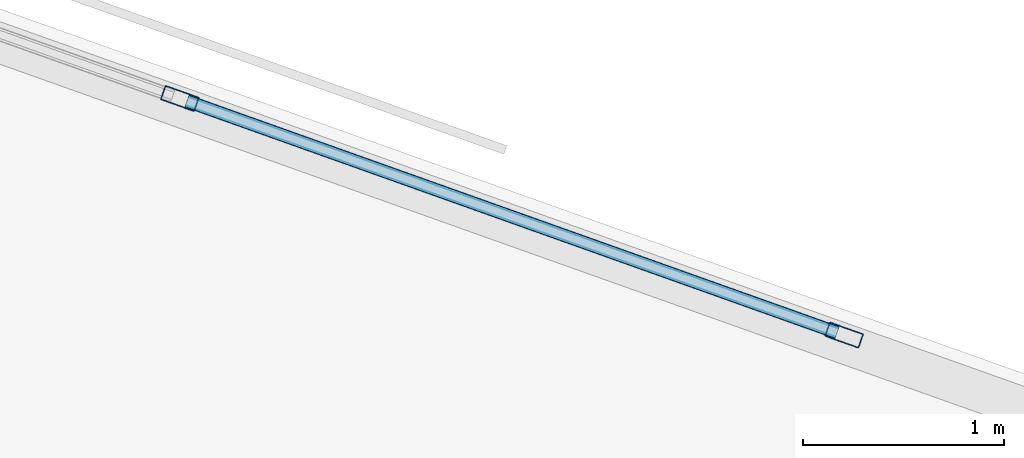
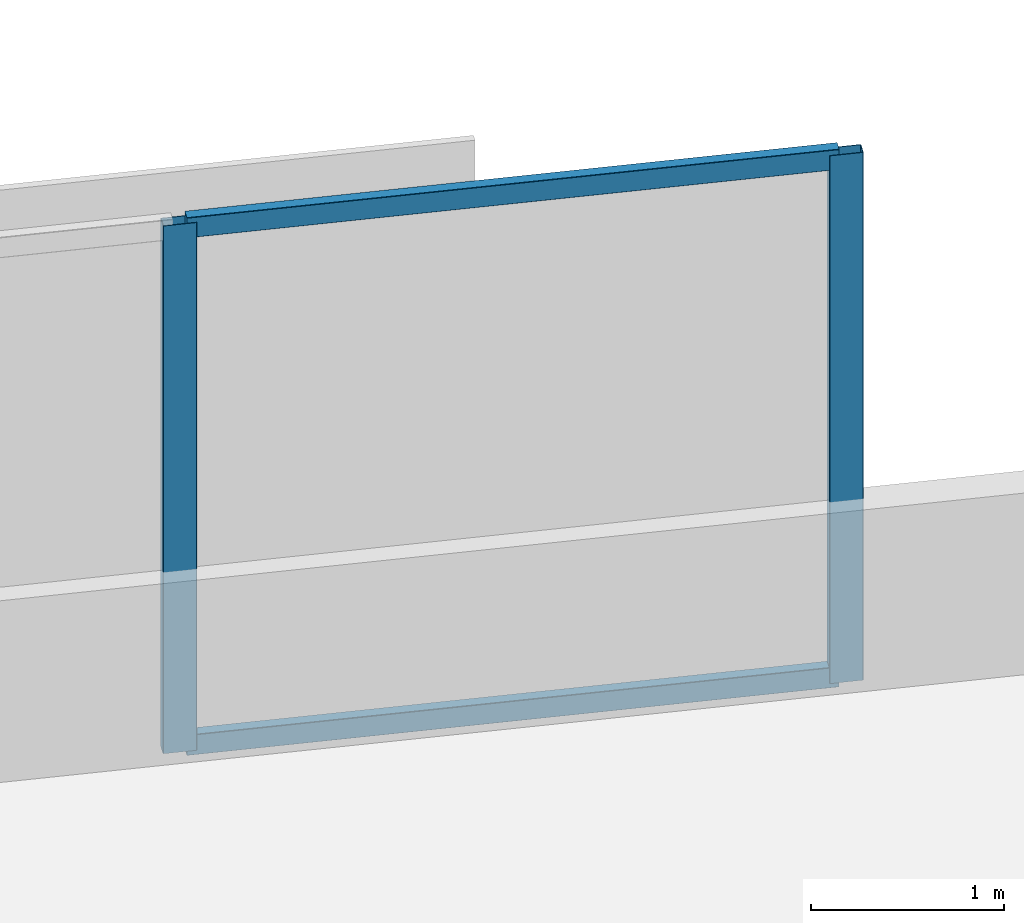
# One storey, part 2 of 17: 4 members, 1 element without a shape of its own.
"""IFC4 building model written with IfcOpenShell, lengths in metres."""

from ifc_helpers import new_model, si_unit, direction, frame, origin, origin_2d, place, context, subcontext, project, spatial, hollow_rectangle, extrude, material, material_profile, profile_set, type_object, element, aggregate, save


model = new_model("IFC4")

# Units and contexts
model_context = context("Model", 3, precision=1e-05, world=origin(), true_north=direction((0.0, 1.0)))
body_context = subcontext(model_context, "Body", "Model", "MODEL_VIEW")
ifc_project = project(units=[si_unit("LENGTHUNIT", "METRE"), si_unit("AREAUNIT", "SQUARE_METRE"), si_unit("VOLUMEUNIT", "CUBIC_METRE"), si_unit("PLANEANGLEUNIT", "RADIAN"), si_unit("MASSUNIT", "GRAM", prefix="KILO")], contexts=[model_context])

# Site, building, storey
site_placement = place(None, origin())
site = spatial("IfcSite", under=ifc_project, at=site_placement, CompositionType="ELEMENT")
building_placement = place(site_placement, origin())
building = spatial("IfcBuilding", under=site, at=building_placement, Name="Narakoshi Arena Tower", CompositionType="ELEMENT")
storey_placement = place(building_placement, frame((0.0, 0.0, 139.5)))
storey = spatial("IfcBuildingStorey", under=building, at=storey_placement, Name="L37", CompositionType="ELEMENT", Elevation=139.5)

# Curtain wall, members
ifc_material = material(Name="Anodised bronze aluminium 6063-T6", Category="aluminium")
curtain_wall_type = type_object("IfcCurtainWallType", Name="CW-HYP-MID", PredefinedType="NOTDEFINED", material=ifc_material)
curtain_wall_placement = place(storey_placement, origin())
curtain_wall = element("IfcCurtainWall", 1, at=curtain_wall_placement, inside=storey, type_object=curtain_wall_type, Name="L37 Folded Hypotenuse Curtain Wall 2-1", PredefinedType="NOTDEFINED")
ifc_material_profile_1 = material_profile(ifc_material, hollow_rectangle(XDim=0.074951171875, YDim=0.179931640625, WallThickness=0.00390625, OuterFilletRadius=0.0048828125, at=origin_2d()), Name="MUL180x75x4")
ifc_profile_set_1 = profile_set([ifc_material_profile_1], Name="Anodised bronze aluminium 6063-T6")
member_type_1 = type_object("IfcMemberType", Name="MEM-MUL-180", PredefinedType="MULLION", material=ifc_profile_set_1)
member_1_placement = place(storey_placement, frame((87.77978515625, 62.73876953125, 0.0), z_axis=(0.0, 0.0, 1.0), x_axis=(-0.335518297139, -0.94203368957, 0.0)))
member_1 = element("IfcMember", 2, at=member_1_placement, type_object=member_type_1, Name="CW-02 mullion 1", PredefinedType="MULLION", context=body_context, shape_type="SweptSolid", body=[
    extrude(hollow_rectangle(XDim=0.074951171875, YDim=0.179931640625, WallThickness=0.00390625, OuterFilletRadius=0.0048828125, at=origin_2d()), origin(), (0.0, 0.0, 1.0), 3.340087890625),
])
member_2_placement = place(storey_placement, frame((84.470458984375, 63.917236328125, 0.0), z_axis=(0.0, 0.0, 1.0), x_axis=(-0.335518297139, -0.94203368957, 0.0)))
member_2 = element("IfcMember", 3, at=member_2_placement, type_object=member_type_1, Name="CW-02 mullion 2", PredefinedType="MULLION", context=body_context, shape_type="SweptSolid", body=[
    extrude(hollow_rectangle(XDim=0.074951171875, YDim=0.179931640625, WallThickness=0.00390625, OuterFilletRadius=0.0048828125, at=origin_2d()), origin(), (0.0, 0.0, 1.0), 3.340087890625),
])
ifc_material_profile_2 = material_profile(ifc_material, hollow_rectangle(XDim=0.06494140625, YDim=0.1298828125, WallThickness=0.00390625, OuterFilletRadius=0.0048828125, at=origin_2d()), Name="TRN130x65x4")
ifc_profile_set_2 = profile_set([ifc_material_profile_2], Name="Anodised bronze aluminium 6063-T6")
member_type_2 = type_object("IfcMemberType", Name="MEM-TRN-130", PredefinedType="USERDEFINED", material=ifc_profile_set_2)
member_3_placement = place(storey_placement, frame((87.744384765625, 62.751220703125, 0.032470703125), z_axis=(-0.942022753127, 0.335549001773, 0.0), x_axis=(-0.335549001773, -0.942022753127, 0.0)))
member_3 = element("IfcMember", 4, at=member_3_placement, type_object=member_type_2, Name="CW-02 transom 1.1", ObjectType="TRANSOM", PredefinedType="USERDEFINED", context=body_context, shape_type="SweptSolid", body=[
    extrude(hollow_rectangle(XDim=0.06494140625, YDim=0.1298828125, WallThickness=0.00390625, OuterFilletRadius=0.0048828125, at=origin_2d()), origin(), (0.0, 0.0, 1.0), 3.437744140625),
])
member_4_placement = place(storey_placement, frame((87.744384765625, 62.751220703125, 3.3076171875), z_axis=(-0.942022753127, 0.335549001773, 0.0), x_axis=(-0.335549001773, -0.942022753127, 0.0)))
member_4 = element("IfcMember", 5, at=member_4_placement, type_object=member_type_2, Name="CW-02 transom 1.2", ObjectType="TRANSOM", PredefinedType="USERDEFINED", context=body_context, shape_type="SweptSolid", body=[
    extrude(hollow_rectangle(XDim=0.06494140625, YDim=0.1298828125, WallThickness=0.00390625, OuterFilletRadius=0.0048828125, at=origin_2d()), origin(), (0.0, 0.0, 1.0), 3.437744140625),
])
aggregate(curtain_wall, [member_1, member_2, member_3, member_4])

save(model, "model.ifc")
